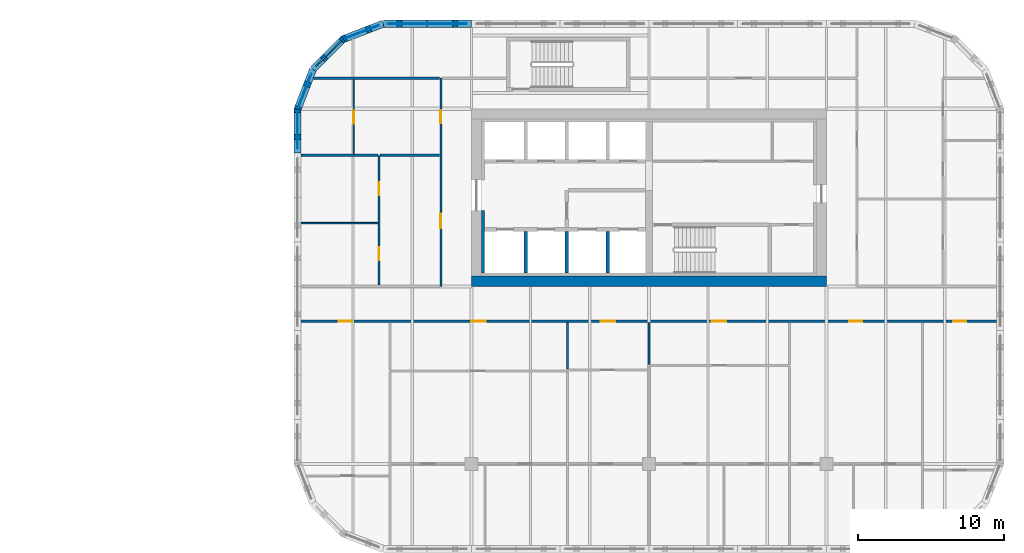
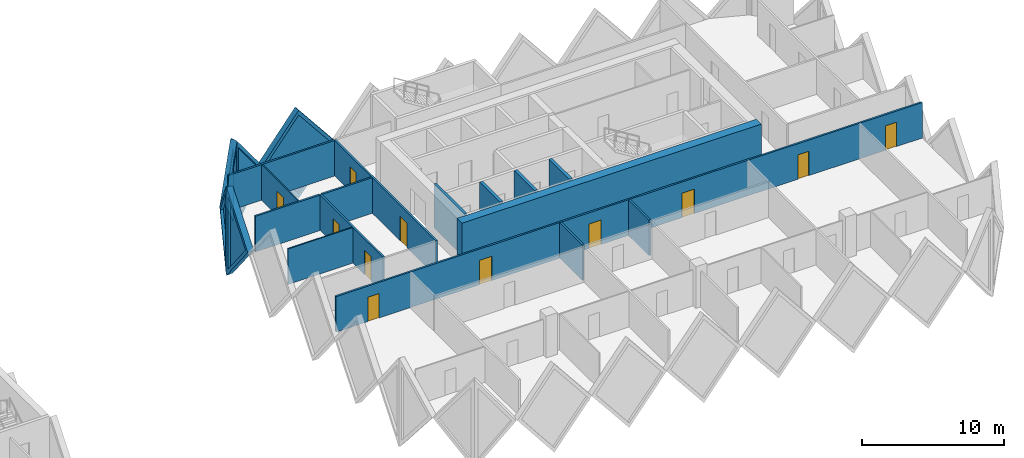
# One storey, part 13 of 19: 20 walls, 11 doors, 5 plates, 16 openings.
"""IFC4 building model written with IfcOpenShell, lengths in metres."""

from ifc_helpers import new_model, si_unit, direction, frame, frame_2d, origin, place, context, subcontext, project, spatial, polyline, rectangle, outline, extrude, faceted_brep, source, transform, mapped, material, layer, layer_set, type_object, element, fill, save


model = new_model("IFC4")

# Units and contexts
model_context = context("Model", 3, precision=1e-05, world=origin(), true_north=direction((0.0, 1.0)))
body_context = subcontext(model_context, "Body", "Model", "MODEL_VIEW")
ifc_project = project(units=[si_unit("LENGTHUNIT", "METRE"), si_unit("AREAUNIT", "SQUARE_METRE"), si_unit("VOLUMEUNIT", "CUBIC_METRE"), si_unit("PLANEANGLEUNIT", "RADIAN"), si_unit("MASSUNIT", "GRAM", prefix="KILO")], contexts=[model_context])

# Site, building, storey
site_placement = place(None, origin())
site = spatial("IfcSite", under=ifc_project, at=site_placement, CompositionType="ELEMENT")
building_placement = place(site_placement, origin())
building = spatial("IfcBuilding", under=site, at=building_placement, Name="Tessera Gate Towers", CompositionType="ELEMENT")
storey_placement = place(building_placement, frame((0.0, 0.0, 29.60009765625)))
storey = spatial("IfcBuildingStorey", under=building, at=storey_placement, Name="L06", CompositionType="ELEMENT", Elevation=29.60009765625)

# Walls
ifc_material_1 = material(Name="Concrete C40/50", Category="concrete")
ifc_layer_1 = layer(ifc_material_1, 0.25)
ifc_layer_set_1 = layer_set([ifc_layer_1], Name="CORE ENCLOSURE WALL 250")
wall_type_1 = type_object("IfcWallType", Name="CORE ENCLOSURE WALL 250", PredefinedType="SOLIDWALL", material=ifc_layer_set_1)
for number, where, z_axis, x_axis, name in (
    (1, (104.14990234375, 37.5, 0.0), (0.0, 0.0, 1.0), (0.0, 1.0, 0.0), "L06 shaft and stair enclosure wall"),
    (2, (101.324951171875, 37.5, 0.0), (0.0, 0.0, 1.0), (0.0, 1.0, 0.0), "L06 shaft and stair enclosure wall"),
    (3, (106.97509765625, 37.5, 0.0), (0.0, 0.0, 1.0), (0.0, 1.0, 0.0), "L06 shaft and stair enclosure wall"),
):
    element("IfcWall", number, at=place(storey_placement, frame(where, z_axis=z_axis, x_axis=x_axis)), inside=storey, type_object=wall_type_1, Name=name, PredefinedType="SOLIDWALL", context=body_context, shape_type="SweptSolid", body=[
        extrude(rectangle(XDim=2.875, YDim=0.25, at=frame_2d((1.4375, 0.0))), origin(), (0.0, 0.0, 1.0), 3.7998046875),
    ])
ifc_material_2 = material(Name="Concrete C60/75", Category="concrete")
ifc_layer_2 = layer(ifc_material_2, 0.699951171875)
ifc_layer_set_2 = layer_set([ifc_layer_2], Name="CORE SHEAR WALL 700 C60/75")
wall_type_2 = type_object("IfcWallType", Name="CORE SHEAR WALL 700 C60/75", PredefinedType="SHEAR", material=ifc_layer_set_2)
wall_1_placement = place(storey_placement, frame((122.0, 36.949951171875, 0.0), z_axis=(0.0, 0.0, 1.0), x_axis=(-1.0, 0.0, 0.0)))
element("IfcWall", 4, at=wall_1_placement, inside=storey, type_object=wall_type_2, Name="Core wall S L06", PredefinedType="SHEAR", context=body_context, shape_type="SweptSolid", body=[
    extrude(rectangle(XDim=24.39990234375, YDim=0.699951171875, at=frame_2d((12.199951171875, 0.0))), origin(), (0.0, 0.0, 1.0), 3.7998046875),
])
ifc_material_3 = material(Name="Concrete C60/75", Category="concrete")
ifc_layer_3 = layer(ifc_material_3, 0.199951171875)
ifc_layer_set_3 = layer_set([ifc_layer_3], Name="CORE WALL THICKENING 200")
wall_type_3 = type_object("IfcWallType", Name="CORE WALL THICKENING 200", PredefinedType="SOLIDWALL", material=ifc_layer_set_3)
wall_2_placement = place(storey_placement, frame((98.39990234375, 37.5, 0.0), z_axis=(0.0, 0.0, 1.0), x_axis=(0.0, 1.0, 0.0)))
element("IfcWall", 5, at=wall_2_placement, inside=storey, type_object=wall_type_3, Name="Core wall thickening W L06", PredefinedType="SOLIDWALL", context=body_context, shape_type="SweptSolid", body=[
    extrude(rectangle(XDim=4.300048828125, YDim=0.199951171875, at=frame_2d((2.14990234375, 0.0))), origin(), (0.0, 0.0, 1.0), 3.7998046875),
])

# Wall, openings, doors
ifc_material_4 = material(Name="Gypsum board on steel studs, mineral wool", Category="steel")
ifc_layer_4 = layer(ifc_material_4, 0.14990234375)
ifc_layer_set_4 = layer_set([ifc_layer_4], Name="CORRIDOR WALL 150")
wall_type_4 = type_object("IfcWallType", Name="CORRIDOR WALL 150", PredefinedType="PARTITIONING", material=ifc_layer_set_4)
wall_3_placement = place(storey_placement, frame((133.699951171875, 34.199951171875, 0.0), z_axis=(0.0, 0.0, 1.0), x_axis=(-1.0, 0.0, 0.0)))
wall_3 = element("IfcWall", 6, at=wall_3_placement, inside=storey, type_object=wall_type_4, Name="T2-L06-PW-027", PredefinedType="PARTITIONING", context=body_context, shape_type="SweptSolid", body=[
    extrude(rectangle(XDim=47.800048828125, YDim=0.14990234375, at=frame_2d((23.89990234375, 0.0))), origin(), (0.0, 0.0, 1.0), 3.06689453125),
])
shared_shape_1 = source(origin(), body_context, "Body", "SweptSolid", [
    extrude(rectangle(XDim=0.89990234375, YDim=2.10009765625, at=frame_2d((0.449951171875, 1.050048828125))), frame((0.0, 0.0849609375, 0.0), z_axis=(0.0, -1.0, 0.0), x_axis=(1.0, 0.0, 0.0)), (0.0, 0.0, 1.0), 0.169921875),
])
opening_1_placement = place(wall_3_placement, frame((2.09912109375, 0.0, 0.0)))
opening_1 = element("IfcOpeningElement", 7, at=opening_1_placement, cuts=wall_3, Name="Opening D890FD60-B03-01", PredefinedType="OPENING", context=body_context, shape_type="MappedRepresentation", body=[
    mapped(shared_shape_1, transform((0.0, 0.0, 0.0), scale=1.0)),
])
shared_shape_2 = source(origin(), body_context, "Body", "SweptSolid", [
    extrude(rectangle(XDim=1.0, YDim=2.10009765625, at=frame_2d((0.5, 1.050048828125))), frame((0.0, 0.0849609375, 0.0), z_axis=(0.0, -1.0, 0.0), x_axis=(1.0, 0.0, 0.0)), (0.0, 0.0, 1.0), 0.169921875),
])
opening_2_placement = place(wall_3_placement, frame((26.198974609375, 0.0, 0.0)))
opening_2 = element("IfcOpeningElement", 8, at=opening_2_placement, cuts=wall_3, Name="Opening D2100FD60-B03-01", PredefinedType="OPENING", context=body_context, shape_type="MappedRepresentation", body=[
    mapped(shared_shape_2, transform((0.0, 0.0, 0.0), scale=1.0)),
])
opening_3_placement = place(wall_3_placement, frame((44.300048828125, 0.0, 0.0)))
opening_3 = element("IfcOpeningElement", 9, at=opening_3_placement, cuts=wall_3, Name="Opening D890FD60-B03-03", PredefinedType="OPENING", context=body_context, shape_type="MappedRepresentation", body=[
    mapped(shared_shape_1, transform((0.0, 0.0, 0.0), scale=1.0)),
])
opening_4_placement = place(wall_3_placement, frame((9.2490234375, 0.0, 0.0)))
opening_4 = element("IfcOpeningElement", 10, at=opening_4_placement, cuts=wall_3, Name="Opening D890FD60-B03-04", PredefinedType="OPENING", context=body_context, shape_type="MappedRepresentation", body=[
    mapped(shared_shape_1, transform((0.0, 0.0, 0.0), scale=1.0)),
])
opening_5_placement = place(wall_3_placement, frame((18.60009765625, 0.0, 0.0)))
opening_5 = element("IfcOpeningElement", 11, at=opening_5_placement, cuts=wall_3, Name="Opening D2100FD60-B03-03", PredefinedType="OPENING", context=body_context, shape_type="MappedRepresentation", body=[
    mapped(shared_shape_2, transform((0.0, 0.0, 0.0), scale=1.0)),
])
opening_6_placement = place(wall_3_placement, frame((35.10009765625, 0.0, 0.0)))
opening_6 = element("IfcOpeningElement", 12, at=opening_6_placement, cuts=wall_3, Name="Opening D2100FD60-B03-05", PredefinedType="OPENING", context=body_context, shape_type="MappedRepresentation", body=[
    mapped(shared_shape_2, transform((0.0, 0.0, 0.0), scale=1.0)),
])
ifc_material_5 = material(Name="Timber door leaf in steel frame", Category="steel")
door_type_1 = type_object("IfcDoorType", Name="CORRIDOR DOOR 900 FD60", OperationType="NOTDEFINED", PredefinedType="DOOR", material=ifc_material_5)
shared_shape_3 = source(origin(), body_context, "Body", "SweptSolid", [
    extrude(rectangle(XDim=0.89990234375, YDim=2.10009765625, at=frame_2d((0.449951171875, 1.050048828125))), frame((0.0, 0.02490234375, 0.0), z_axis=(0.0, -1.0, 0.0), x_axis=(1.0, 0.0, 0.0)), (0.0, 0.0, 1.0), 0.050048828125),
])
door_1_placement = place(opening_1_placement, origin())
door_1 = element("IfcDoor", 13, at=door_1_placement, inside=storey, type_object=door_type_1, Name="T2-L06-PD-010", OperationType="SINGLE_SWING_RIGHT", OverallHeight=2.10009765625, OverallWidth=0.89990234375, PredefinedType="DOOR", context=body_context, shape_type="MappedRepresentation", body=[
    mapped(shared_shape_3, transform((0.0, 0.0, 0.0), scale=1.0)),
])
fill(opening_1, door_1)
door_2_placement = place(opening_3_placement, origin())
door_2 = element("IfcDoor", 14, at=door_2_placement, inside=storey, type_object=door_type_1, Name="T2-L06-PD-019", OperationType="SINGLE_SWING_RIGHT", OverallHeight=2.10009765625, OverallWidth=0.89990234375, PredefinedType="DOOR", context=body_context, shape_type="MappedRepresentation", body=[
    mapped(shared_shape_3, transform((0.0, 0.0, 0.0), scale=1.0)),
])
fill(opening_3, door_2)
door_3_placement = place(opening_4_placement, origin())
door_3 = element("IfcDoor", 15, at=door_3_placement, inside=storey, type_object=door_type_1, Name="T2-L06-PD-022", OperationType="SINGLE_SWING_RIGHT", OverallHeight=2.10009765625, OverallWidth=0.89990234375, PredefinedType="DOOR", context=body_context, shape_type="MappedRepresentation", body=[
    mapped(shared_shape_3, transform((0.0, 0.0, 0.0), scale=1.0)),
])
fill(opening_4, door_3)
ifc_material_6 = material(Name="Timber door leaf in steel frame", Category="steel")
door_type_2 = type_object("IfcDoorType", Name="TENANCY ENTRANCE DOOR 1000 FD60", OperationType="NOTDEFINED", PredefinedType="DOOR", material=ifc_material_6)
shared_shape_4 = source(origin(), body_context, "Body", "SweptSolid", [
    extrude(rectangle(XDim=1.0, YDim=2.10009765625, at=frame_2d((0.5, 1.050048828125))), frame((0.0, 0.02490234375, 0.0), z_axis=(0.0, -1.0, 0.0), x_axis=(1.0, 0.0, 0.0)), (0.0, 0.0, 1.0), 0.050048828125),
])
door_4_placement = place(opening_2_placement, origin())
door_4 = element("IfcDoor", 16, at=door_4_placement, inside=storey, type_object=door_type_2, Name="T2-L06-PD-016", OperationType="SINGLE_SWING_RIGHT", OverallHeight=2.10009765625, OverallWidth=1.0, PredefinedType="DOOR", context=body_context, shape_type="MappedRepresentation", body=[
    mapped(shared_shape_4, transform((0.0, 0.0, 0.0), scale=1.0)),
])
fill(opening_2, door_4)
door_5_placement = place(opening_5_placement, origin())
door_5 = element("IfcDoor", 17, at=door_5_placement, inside=storey, type_object=door_type_2, Name="T2-L06-PD-023", OperationType="SINGLE_SWING_RIGHT", OverallHeight=2.10009765625, OverallWidth=1.0, PredefinedType="DOOR", context=body_context, shape_type="MappedRepresentation", body=[
    mapped(shared_shape_4, transform((0.0, 0.0, 0.0), scale=1.0)),
])
fill(opening_5, door_5)
door_6_placement = place(opening_6_placement, origin())
door_6 = element("IfcDoor", 18, at=door_6_placement, inside=storey, type_object=door_type_2, Name="T2-L06-PD-026", OperationType="SINGLE_SWING_RIGHT", OverallHeight=2.10009765625, OverallWidth=1.0, PredefinedType="DOOR", context=body_context, shape_type="MappedRepresentation", body=[
    mapped(shared_shape_4, transform((0.0, 0.0, 0.0), scale=1.0)),
])
fill(opening_6, door_6)

wall_4_placement = place(storey_placement, frame((95.5, 36.60009765625, 0.0), z_axis=(0.0, 0.0, 1.0), x_axis=(0.0, 1.0, 0.0)))
wall_4 = element("IfcWall", 19, at=wall_4_placement, inside=storey, type_object=wall_type_4, Name="T2-L06-PW-029", PredefinedType="PARTITIONING", context=body_context, shape_type="SweptSolid", body=[
    extrude(rectangle(XDim=14.2998046875, YDim=0.14990234375, at=frame_2d((7.14990234375, 0.0))), origin(), (0.0, 0.0, 1.0), 3.06689453125),
])
opening_7_placement = place(wall_4_placement, frame((11.200927734375, 0.0, 0.0)))
opening_7 = element("IfcOpeningElement", 20, at=opening_7_placement, cuts=wall_4, Name="Opening D890FD60-B03-02", PredefinedType="OPENING", context=body_context, shape_type="MappedRepresentation", body=[
    mapped(shared_shape_1, transform((0.0, 0.0, 0.0), scale=1.0)),
])
opening_8_placement = place(wall_4_placement, frame((4.0, 0.0, 0.0)))
opening_8 = element("IfcOpeningElement", 21, at=opening_8_placement, cuts=wall_4, Name="Opening D2100FD60-B03-06", PredefinedType="OPENING", context=body_context, shape_type="MappedRepresentation", body=[
    mapped(shared_shape_2, transform((0.0, 0.0, 0.0), scale=1.0)),
])
door_7_placement = place(opening_7_placement, origin())
door_7 = element("IfcDoor", 22, at=door_7_placement, inside=storey, type_object=door_type_1, Name="T2-L06-PD-012", OperationType="SINGLE_SWING_LEFT", OverallHeight=2.10009765625, OverallWidth=0.89990234375, PredefinedType="DOOR", context=body_context, shape_type="MappedRepresentation", body=[
    mapped(shared_shape_3, transform((0.0, 0.0, 0.0), scale=1.0)),
])
fill(opening_7, door_7)
door_8_placement = place(opening_8_placement, origin())
door_8 = element("IfcDoor", 23, at=door_8_placement, inside=storey, type_object=door_type_2, Name="T2-L06-PD-028", OperationType="SINGLE_SWING_LEFT", OverallHeight=2.10009765625, OverallWidth=1.0, PredefinedType="DOOR", context=body_context, shape_type="MappedRepresentation", body=[
    mapped(shared_shape_4, transform((0.0, 0.0, 0.0), scale=1.0)),
])
fill(opening_8, door_8)

# Wall
ifc_material_7 = material(Name="Gypsum board on steel studs", Category="steel")
ifc_layer_5 = layer(ifc_material_7, 0.10009765625)
ifc_layer_set_5 = layer_set([ifc_layer_5], Name="PARTITION 100")
wall_type_5 = type_object("IfcWallType", Name="PARTITION 100", PredefinedType="PARTITIONING", material=ifc_layer_set_5)
wall_5_placement = place(storey_placement, frame((85.89990234375, 40.947998046875, 0.0), z_axis=(0.0, 0.0, 1.0), x_axis=(1.0, 0.0, 0.0)))
element("IfcWall", 24, at=wall_5_placement, inside=storey, type_object=wall_type_5, Name="T2-L06-PW-034", PredefinedType="PARTITIONING", context=body_context, shape_type="SweptSolid", body=[
    extrude(rectangle(XDim=5.274169921875, YDim=0.10009765625, at=frame_2d((2.63720703125, 0.0))), origin(), (0.0, 0.0, 1.0), 3.06689453125),
])

# Wall, opening, door
wall_6_placement = place(storey_placement, frame((89.514892578125, 45.676025390625, 0.0), z_axis=(0.0, 0.0, 1.0), x_axis=(0.0, 1.0, 0.0)))
wall_6 = element("IfcWall", 25, at=wall_6_placement, inside=storey, type_object=wall_type_5, Name="T2-L06-PW-039", PredefinedType="PARTITIONING", context=body_context, shape_type="SweptSolid", body=[
    extrude(rectangle(XDim=5.14794921875, YDim=0.10009765625, at=frame_2d((2.573974609375, 0.0))), origin(), (0.0, 0.0, 1.0), 3.06689453125),
])
shared_shape_5 = source(origin(), body_context, "Body", "SweptSolid", [
    extrude(rectangle(XDim=0.89990234375, YDim=2.10009765625, at=frame_2d((0.449951171875, 1.050048828125))), frame((0.0, 0.06005859375, 0.0), z_axis=(0.0, -1.0, 0.0), x_axis=(1.0, 0.0, 0.0)), (0.0, 0.0, 1.0), 0.1201171875),
])
opening_9_placement = place(wall_6_placement, frame((2.10009765625, 0.0, 0.0)))
opening_9 = element("IfcOpeningElement", 26, at=opening_9_placement, cuts=wall_6, Name="Opening D190-B03-09", PredefinedType="OPENING", context=body_context, shape_type="MappedRepresentation", body=[
    mapped(shared_shape_5, transform((0.0, 0.0, 0.0), scale=1.0)),
])
ifc_material_8 = material(Name="Timber door leaf in steel frame", Category="steel")
door_type_3 = type_object("IfcDoorType", Name="INTERNAL DOOR 900 NOT RATED", OperationType="NOTDEFINED", PredefinedType="DOOR", material=ifc_material_8)
door_9_placement = place(opening_9_placement, origin())
door_9 = element("IfcDoor", 27, at=door_9_placement, inside=storey, type_object=door_type_3, Name="T2-L06-PD-011", OperationType="SINGLE_SWING_LEFT", OverallHeight=2.10009765625, OverallWidth=0.89990234375, PredefinedType="DOOR", context=body_context, shape_type="MappedRepresentation", body=[
    mapped(shared_shape_3, transform((0.0, 0.0, 0.0), scale=1.0)),
])
fill(opening_9, door_9)

# Walls
ifc_material_9 = material(Name="Gypsum board on steel studs, mineral wool", Category="steel")
ifc_layer_6 = layer(ifc_material_9, 0.14990234375)
ifc_layer_set_6 = layer_set([ifc_layer_6], Name="TENANCY WALL 150")
wall_type_6 = type_object("IfcWallType", Name="TENANCY WALL 150", PredefinedType="PARTITIONING", material=ifc_layer_set_6)
wall_7_placement = place(storey_placement, frame((104.199951171875, 30.925048828125, 0.0), z_axis=(0.0, 0.0, 1.0), x_axis=(0.0, 1.0, 0.0)))
element("IfcWall", 28, at=wall_7_placement, inside=storey, type_object=wall_type_6, Name="T2-L06-PW-023", PredefinedType="PARTITIONING", context=body_context, shape_type="SweptSolid", body=[
    extrude(rectangle(XDim=3.198974609375, YDim=0.14990234375, at=frame_2d((1.599609375, 0.0))), origin(), (0.0, 0.0, 1.0), 3.06689453125),
])
wall_8_placement = place(storey_placement, frame((109.800048828125, 31.22607421875, 0.0), z_axis=(0.0, 0.0, 1.0), x_axis=(0.0, 1.0, 0.0)))
element("IfcWall", 29, at=wall_8_placement, inside=storey, type_object=wall_type_6, Name="T2-L06-PW-025", PredefinedType="PARTITIONING", context=body_context, shape_type="SweptSolid", body=[
    extrude(rectangle(XDim=2.89794921875, YDim=0.14990234375, at=frame_2d((1.448974609375, 0.0))), origin(), (0.0, 0.0, 1.0), 3.06689453125),
])

# Wall, openings, doors
wall_9_placement = place(storey_placement, frame((91.25, 36.676025390625, 0.0), z_axis=(0.0, 0.0, 1.0), x_axis=(0.0, 1.0, 0.0)))
wall_9 = element("IfcWall", 30, at=wall_9_placement, inside=storey, type_object=wall_type_6, Name="T2-L06-PW-032", PredefinedType="PARTITIONING", context=body_context, shape_type="SweptSolid", body=[
    extrude(rectangle(XDim=8.924072265625, YDim=0.14990234375, at=frame_2d((4.4619140625, 0.0))), origin(), (0.0, 0.0, 1.0), 3.06689453125),
])
opening_10_placement = place(wall_9_placement, frame((1.699951171875, 0.0, 0.0)))
opening_10 = element("IfcOpeningElement", 31, at=opening_10_placement, cuts=wall_9, Name="Opening D190-B03-03", PredefinedType="OPENING", context=body_context, shape_type="MappedRepresentation", body=[
    mapped(shared_shape_1, transform((0.0, 0.0, 0.0), scale=1.0)),
])
opening_11_placement = place(wall_9_placement, frame((6.171875, 0.0, 0.0)))
opening_11 = element("IfcOpeningElement", 32, at=opening_11_placement, cuts=wall_9, Name="Opening D190-B03-06", PredefinedType="OPENING", context=body_context, shape_type="MappedRepresentation", body=[
    mapped(shared_shape_1, transform((0.0, 0.0, 0.0), scale=1.0)),
])
door_10_placement = place(opening_10_placement, origin())
door_10 = element("IfcDoor", 33, at=door_10_placement, inside=storey, type_object=door_type_3, Name="T2-L06-PD-003", OperationType="SINGLE_SWING_LEFT", OverallHeight=2.10009765625, OverallWidth=0.89990234375, PredefinedType="DOOR", context=body_context, shape_type="MappedRepresentation", body=[
    mapped(shared_shape_3, transform((0.0, 0.0, 0.0), scale=1.0)),
])
fill(opening_10, door_10)
door_11_placement = place(opening_11_placement, origin())
door_11 = element("IfcDoor", 34, at=door_11_placement, inside=storey, type_object=door_type_3, Name="T2-L06-PD-006", OperationType="SINGLE_SWING_LEFT", OverallHeight=2.10009765625, OverallWidth=0.89990234375, PredefinedType="DOOR", context=body_context, shape_type="MappedRepresentation", body=[
    mapped(shared_shape_3, transform((0.0, 0.0, 0.0), scale=1.0)),
])
fill(opening_11, door_11)

# Walls
wall_10_placement = place(storey_placement, frame((85.89990234375, 45.60009765625, 0.0), z_axis=(0.0, 0.0, 1.0), x_axis=(1.0, 0.0, 0.0)))
element("IfcWall", 35, at=wall_10_placement, inside=storey, type_object=wall_type_6, Name="T2-L06-PW-037", PredefinedType="PARTITIONING", context=body_context, shape_type="SweptSolid", body=[
    extrude(rectangle(XDim=5.274169921875, YDim=0.14990234375, at=frame_2d((2.63720703125, 0.0))), origin(), (0.0, 0.0, 1.0), 3.06689453125),
])
wall_11_placement = place(storey_placement, frame((91.325927734375, 45.60009765625, 0.0), z_axis=(0.0, 0.0, 1.0), x_axis=(1.0, 0.0, 0.0)))
element("IfcWall", 36, at=wall_11_placement, inside=storey, type_object=wall_type_6, Name="T2-L06-PW-038", PredefinedType="PARTITIONING", context=body_context, shape_type="SweptSolid", body=[
    extrude(rectangle(XDim=4.09814453125, YDim=0.14990234375, at=frame_2d((2.049072265625, 0.0))), origin(), (0.0, 0.0, 1.0), 3.06689453125),
])
wall_12_placement = place(storey_placement, frame((86.74609375, 50.89990234375, 0.0), z_axis=(0.0, 0.0, 1.0), x_axis=(1.0, 0.0, 0.0)))
element("IfcWall", 37, at=wall_12_placement, inside=storey, type_object=wall_type_6, Name="T2-L06-PW-041", PredefinedType="PARTITIONING", context=body_context, shape_type="SweptSolid", body=[
    extrude(rectangle(XDim=8.677978515625, YDim=0.14990234375, at=frame_2d((4.3388671875, 0.0))), origin(), (0.0, 0.0, 1.0), 3.06689453125),
])

# Wall, opening, plate
ifc_material_10 = material(Name="Precast concrete C60/75 white", Category="concrete")
ifc_layer_7 = layer(ifc_material_10, 0.5)
ifc_layer_set_7 = layer_set([ifc_layer_7], Name="TS1 tessera")
wall_type_7 = type_object("IfcWallType", Name="TS1 tessera", PredefinedType="SOLIDWALL", material=ifc_layer_set_7)
shared_shape_6 = source(origin(), body_context, "Body", "Brep", [
    faceted_brep([(3.050048828125, -0.25, 0.0), (6.053466796875, -0.25, 3.800048828125), (3.050048828125, -0.25, 7.599853515625), (0.0, -0.25, 3.800048828125), (0.0, 0.25, 3.800048828125), (3.050048828125, 0.25, 7.599853515625), (6.0068359375, 0.25, 3.85888671875), (6.0068359375, 0.25, 3.7412109375), (3.050048828125, 0.25, 0.0), (6.053466796875, 0.0, 3.800048828125)], [[[0, 1, 2, 3]], [[4, 5, 6, 7, 8]], [[8, 7, 9, 1, 0]], [[6, 5, 2, 1, 9]], [[5, 4, 3, 2]], [[4, 8, 0, 3]], [[7, 6, 9]]]),
])
wall_13_placement = place(storey_placement, frame((97.60009765625, 54.64990234375, -3.800048828125), z_axis=(0.0, 0.0, 1.0), x_axis=(-1.0, 0.0, 0.0)))
wall_13 = element("IfcWall", 38, at=wall_13_placement, inside=storey, type_object=wall_type_7, Name="Precast tessera T2 TS1-0032", PredefinedType="SOLIDWALL", context=body_context, shape_type="MappedRepresentation", body=[
    mapped(shared_shape_6, transform((0.0, 0.0, 0.0), scale=1.0)),
])
shared_shape_7 = source(origin(), body_context, "Body", "SweptSolid", [
    extrude(outline(polyline([(3.048583984375, 0.401123046875), (5.73486328125, 3.800048828125), (3.048583984375, 7.19873046875), (0.320556640625, 3.800048828125), (3.048583984375, 0.401123046875)])), frame((0.0, 0.260009765625, 0.0), z_axis=(0.0, -1.0, 0.0), x_axis=(1.0, 0.0, 0.0)), (0.0, 0.0, 1.0), 0.52001953125),
])
opening_12_placement = place(wall_13_placement, origin())
opening_12 = element("IfcOpeningElement", 39, at=opening_12_placement, cuts=wall_13, Name="Opening T2-PL2-0056", PredefinedType="OPENING", context=body_context, shape_type="MappedRepresentation", body=[
    mapped(shared_shape_7, transform((0.0, 0.0, 0.0), scale=1.0)),
])
ifc_material_11 = material(Name="Low-e laminated glass", Category="glass")
ifc_layer_8 = layer(ifc_material_11, 0.06005859375)
ifc_layer_set_8 = layer_set([ifc_layer_8], Name="PL2 rhombic pane")
plate_type = type_object("IfcPlateType", Name="PL2 rhombic pane", PredefinedType="SHEET", material=ifc_layer_set_8)
shared_shape_8 = source(origin(), body_context, "Body", "SweptSolid", [
    extrude(outline(polyline([(3.048583984375, 0.401123046875), (5.73486328125, 3.800048828125), (3.048583984375, 7.19873046875), (0.320556640625, 3.800048828125), (3.048583984375, 0.401123046875)])), frame((0.0, 0.030029296875, 0.0), z_axis=(0.0, -1.0, 0.0), x_axis=(1.0, 0.0, 0.0)), (0.0, 0.0, 1.0), 0.06005859375),
])
plate_1_placement = place(opening_12_placement, origin())
plate_1 = element("IfcPlate", 40, at=plate_1_placement, inside=storey, type_object=plate_type, Name="Glass pane T2 PL2-0056", PredefinedType="SHEET", context=body_context, shape_type="MappedRepresentation", body=[
    mapped(shared_shape_8, transform((0.0, 0.0, 0.0), scale=1.0)),
])
fill(opening_12, plate_1)

ifc_material_12 = material(Name="Precast concrete C60/75 white", Category="concrete")
ifc_layer_9 = layer(ifc_material_12, 0.5)
ifc_layer_set_9 = layer_set([ifc_layer_9], Name="TS3 corner tessera")
wall_type_8 = type_object("IfcWallType", Name="TS3 corner tessera", PredefinedType="SOLIDWALL", material=ifc_layer_set_9)
shared_shape_9 = source(origin(), body_context, "Body", "Brep", [
    faceted_brep([(2.950439453125, -0.25, 0.0), (3.00341796875, -0.25, 0.068359375), (3.00341796875, -0.25, 7.531494140625), (2.950439453125, -0.25, 7.599853515625), (0.0, -0.25, 3.800048828125), (0.046630859375, 0.25, 3.860107421875), (2.897705078125, 0.25, 7.53173828125), (2.897705078125, 0.25, 0.068115234375), (0.046630859375, 0.25, 3.739990234375), (2.950439453125, 0.00048828125, 0.0), (2.950439453125, 0.00048828125, 7.599853515625), (0.0, 0.0, 3.800048828125)], [[[0, 1, 2, 3, 4]], [[5, 6, 7, 8]], [[1, 0, 9]], [[10, 3, 2]], [[6, 5, 11, 4, 3, 10]], [[8, 7, 9, 0, 4, 11]], [[8, 11, 5]], [[1, 9, 7, 6, 10, 2]]]),
])
wall_14_placement = place(storey_placement, frame((91.546630859375, 54.64990234375, -3.800048828125), z_axis=(0.0, 0.0, 1.0), x_axis=(-0.933007896601, -0.359855894603, 0.0)))
wall_14 = element("IfcWall", 41, at=wall_14_placement, inside=storey, type_object=wall_type_8, Name="Precast corner tessera T2 TS3-0073", PredefinedType="SOLIDWALL", context=body_context, shape_type="MappedRepresentation", body=[
    mapped(shared_shape_9, transform((0.0, 0.0, 0.0), scale=1.0)),
])
shared_shape_10 = source(origin(), body_context, "Body", "SweptSolid", [
    extrude(outline(polyline([(2.75048828125, 6.934814453125), (0.31640625, 3.800048828125), (2.75048828125, 0.665283203125), (2.75048828125, 6.934814453125)])), frame((0.0, 0.260009765625, 0.0), z_axis=(0.0, -1.0, 0.0), x_axis=(1.0, 0.0, 0.0)), (0.0, 0.0, 1.0), 0.52001953125),
])
opening_13_placement = place(wall_14_placement, origin())
opening_13 = element("IfcOpeningElement", 42, at=opening_13_placement, cuts=wall_14, Name="Opening T2-PL2-0057", PredefinedType="OPENING", context=body_context, shape_type="MappedRepresentation", body=[
    mapped(shared_shape_10, transform((0.0, 0.0, 0.0), scale=1.0)),
])
shared_shape_11 = source(origin(), body_context, "Body", "SweptSolid", [
    extrude(outline(polyline([(2.75048828125, 6.934814453125), (0.31640625, 3.800048828125), (2.75048828125, 0.665283203125), (2.75048828125, 6.934814453125)])), frame((0.0, 0.030029296875, 0.0), z_axis=(0.0, -1.0, 0.0), x_axis=(1.0, 0.0, 0.0)), (0.0, 0.0, 1.0), 0.06005859375),
])
plate_2_placement = place(opening_13_placement, origin())
plate_2 = element("IfcPlate", 43, at=plate_2_placement, inside=storey, type_object=plate_type, Name="Glass pane T2 PL2-0057", PredefinedType="SHEET", context=body_context, shape_type="MappedRepresentation", body=[
    mapped(shared_shape_11, transform((0.0, 0.0, 0.0), scale=1.0)),
])
fill(opening_13, plate_2)

shared_shape_12 = source(origin(), body_context, "Body", "Brep", [
    faceted_brep([(0.052978515625, -0.25, 0.0), (2.9970703125, -0.25, 3.800048828125), (0.052978515625, -0.25, 7.599853515625), (0.0, -0.25, 7.53173828125), (0.0, -0.25, 0.068115234375), (0.10595703125, 0.25, 7.531494140625), (2.944091796875, 0.25, 3.8681640625), (2.944091796875, 0.25, 3.73193359375), (0.10595703125, 0.25, 0.068359375), (2.9970703125, 0.000244140625, 3.800048828125), (0.052978515625, 0.0, 0.0), (0.052978515625, 0.0, 7.599853515625)], [[[0, 1, 2, 3, 4]], [[5, 6, 7, 8]], [[8, 7, 9, 1, 0, 10]], [[6, 5, 11, 2, 1, 9]], [[3, 2, 11]], [[10, 0, 4]], [[8, 10, 4, 3, 11, 5]], [[7, 6, 9]]]),
])
wall_15_placement = place(storey_placement, frame((88.831298828125, 53.62548828125, -3.800048828125), z_axis=(0.0, 0.0, 1.0), x_axis=(-0.707147509625, -0.707066050402, 0.0)))
wall_15 = element("IfcWall", 44, at=wall_15_placement, inside=storey, type_object=wall_type_8, Name="Precast corner tessera T2 TS3-0074", PredefinedType="SOLIDWALL", context=body_context, shape_type="MappedRepresentation", body=[
    mapped(shared_shape_12, transform((0.0, 0.0, 0.0), scale=1.0)),
])
shared_shape_13 = source(origin(), body_context, "Body", "SweptSolid", [
    extrude(outline(polyline([(0.2529296875, 0.666259765625), (2.680908203125, 3.800048828125), (0.2529296875, 6.93359375), (0.2529296875, 0.666259765625)])), frame((0.0, 0.260009765625, 0.0), z_axis=(0.0, -1.0, 0.0), x_axis=(1.0, 0.0, 0.0)), (0.0, 0.0, 1.0), 0.52001953125),
])
opening_14_placement = place(wall_15_placement, origin())
opening_14 = element("IfcOpeningElement", 45, at=opening_14_placement, cuts=wall_15, Name="Opening T2-PL2-0058", PredefinedType="OPENING", context=body_context, shape_type="MappedRepresentation", body=[
    mapped(shared_shape_13, transform((0.0, 0.0, 0.0), scale=1.0)),
])
shared_shape_14 = source(origin(), body_context, "Body", "SweptSolid", [
    extrude(outline(polyline([(0.2529296875, 0.666259765625), (2.680908203125, 3.800048828125), (0.2529296875, 6.93359375), (0.2529296875, 0.666259765625)])), frame((0.0, 0.030029296875, 0.0), z_axis=(0.0, -1.0, 0.0), x_axis=(1.0, 0.0, 0.0)), (0.0, 0.0, 1.0), 0.06005859375),
])
plate_3_placement = place(opening_14_placement, origin())
plate_3 = element("IfcPlate", 46, at=plate_3_placement, inside=storey, type_object=plate_type, Name="Glass pane T2 PL2-0058", PredefinedType="SHEET", context=body_context, shape_type="MappedRepresentation", body=[
    mapped(shared_shape_14, transform((0.0, 0.0, 0.0), scale=1.0)),
])
fill(opening_14, plate_3)

shared_shape_15 = source(origin(), body_context, "Body", "Brep", [
    faceted_brep([(0.046630859375, -0.25, 0.0), (3.050048828125, -0.25, 3.800048828125), (0.046630859375, -0.25, 7.599853515625), (0.0, -0.25, 7.539794921875), (0.0, -0.25, 0.06005859375), (0.09326171875, 0.25, 7.541015625), (3.050048828125, 0.25, 3.800048828125), (0.09326171875, 0.25, 0.058837890625), (0.046630859375, 0.0, 0.0), (0.046630859375, 0.0, 7.599853515625)], [[[0, 1, 2, 3, 4]], [[5, 6, 7]], [[7, 6, 1, 0, 8]], [[6, 5, 9, 2, 1]], [[3, 2, 9]], [[8, 0, 4]], [[7, 8, 4, 3, 9, 5]]]),
])
wall_16_placement = place(storey_placement, frame((85.64990234375, 48.800048828125, -3.800048828125), z_axis=(0.0, 0.0, 1.0), x_axis=(0.0, -1.0, 0.0)))
wall_16 = element("IfcWall", 47, at=wall_16_placement, inside=storey, type_object=wall_type_8, Name="Precast corner tessera T2 TS3-0076", PredefinedType="SOLIDWALL", context=body_context, shape_type="MappedRepresentation", body=[
    mapped(shared_shape_15, transform((0.0, 0.0, 0.0), scale=1.0)),
])
shared_shape_16 = source(origin(), body_context, "Body", "SweptSolid", [
    extrude(outline(polyline([(0.24658203125, 0.65625), (2.7314453125, 3.800048828125), (0.24658203125, 6.94384765625), (0.24658203125, 0.65625)])), frame((0.0, 0.260009765625, 0.0), z_axis=(0.0, -1.0, 0.0), x_axis=(1.0, 0.0, 0.0)), (0.0, 0.0, 1.0), 0.52001953125),
])
opening_15_placement = place(wall_16_placement, origin())
opening_15 = element("IfcOpeningElement", 48, at=opening_15_placement, cuts=wall_16, Name="Opening T2-PL2-0060", PredefinedType="OPENING", context=body_context, shape_type="MappedRepresentation", body=[
    mapped(shared_shape_16, transform((0.0, 0.0, 0.0), scale=1.0)),
])
shared_shape_17 = source(origin(), body_context, "Body", "SweptSolid", [
    extrude(outline(polyline([(0.24658203125, 0.65625), (2.7314453125, 3.800048828125), (0.24658203125, 6.94384765625), (0.24658203125, 0.65625)])), frame((0.0, 0.030029296875, 0.0), z_axis=(0.0, -1.0, 0.0), x_axis=(1.0, 0.0, 0.0)), (0.0, 0.0, 1.0), 0.06005859375),
])
plate_4_placement = place(opening_15_placement, origin())
plate_4 = element("IfcPlate", 49, at=plate_4_placement, inside=storey, type_object=plate_type, Name="Glass pane T2 PL2-0060", PredefinedType="SHEET", context=body_context, shape_type="MappedRepresentation", body=[
    mapped(shared_shape_17, transform((0.0, 0.0, 0.0), scale=1.0)),
])
fill(opening_15, plate_4)

shared_shape_18 = source(origin(), body_context, "Body", "Brep", [
    faceted_brep([(2.950439453125, -0.25, 0.0), (2.9970703125, -0.25, 0.05908203125), (2.9970703125, -0.25, 7.540771484375), (2.950439453125, -0.25, 7.599853515625), (0.0, -0.25, 3.800048828125), (0.052978515625, 0.25, 3.8681640625), (2.904052734375, 0.25, 7.5400390625), (2.904052734375, 0.25, 0.059814453125), (0.052978515625, 0.25, 3.73193359375), (2.950439453125, 0.00048828125, 0.0), (2.950439453125, 0.00048828125, 7.599853515625), (0.0, 0.0, 3.800048828125)], [[[0, 1, 2, 3, 4]], [[5, 6, 7, 8]], [[1, 0, 9]], [[10, 3, 2]], [[6, 5, 11, 4, 3, 10]], [[8, 7, 9, 0, 4, 11]], [[8, 11, 5]], [[1, 9, 7, 6, 10, 2]]]),
])
wall_17_placement = place(storey_placement, frame((86.7119140625, 51.50634765625, -3.800048828125), z_axis=(0.0, 0.0, 1.0), x_axis=(-0.359874094142, -0.933000876937, 0.0)))
wall_17 = element("IfcWall", 50, at=wall_17_placement, inside=storey, type_object=wall_type_8, Name="Precast corner tessera T2 TS3-0075", PredefinedType="SOLIDWALL", context=body_context, shape_type="MappedRepresentation", body=[
    mapped(shared_shape_18, transform((0.0, 0.0, 0.0), scale=1.0)),
])
opening_16_placement = place(wall_17_placement, origin())
opening_16 = element("IfcOpeningElement", 51, at=opening_16_placement, cuts=wall_17, Name="Opening T2-PL2-0059", PredefinedType="OPENING", context=body_context, shape_type="MappedRepresentation", body=[
    mapped(shared_shape_10, transform((0.0, 0.0, 0.0), scale=1.0)),
])
plate_5_placement = place(opening_16_placement, origin())
plate_5 = element("IfcPlate", 52, at=plate_5_placement, inside=storey, type_object=plate_type, Name="Glass pane T2 PL2-0059", PredefinedType="SHEET", context=body_context, shape_type="MappedRepresentation", body=[
    mapped(shared_shape_11, transform((0.0, 0.0, 0.0), scale=1.0)),
])
fill(opening_16, plate_5)

save(model, "model.ifc")
